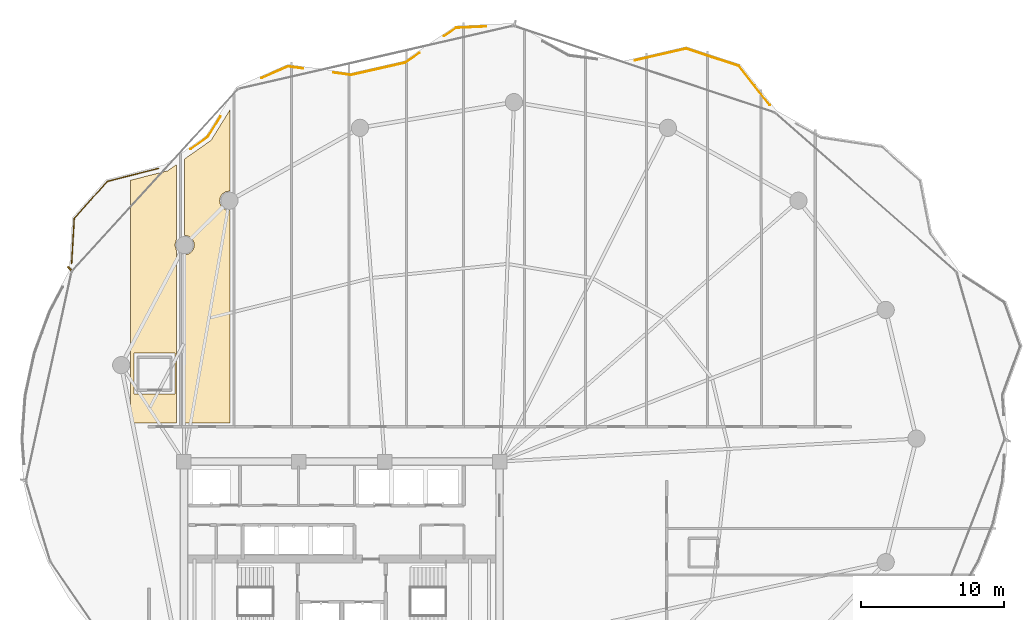
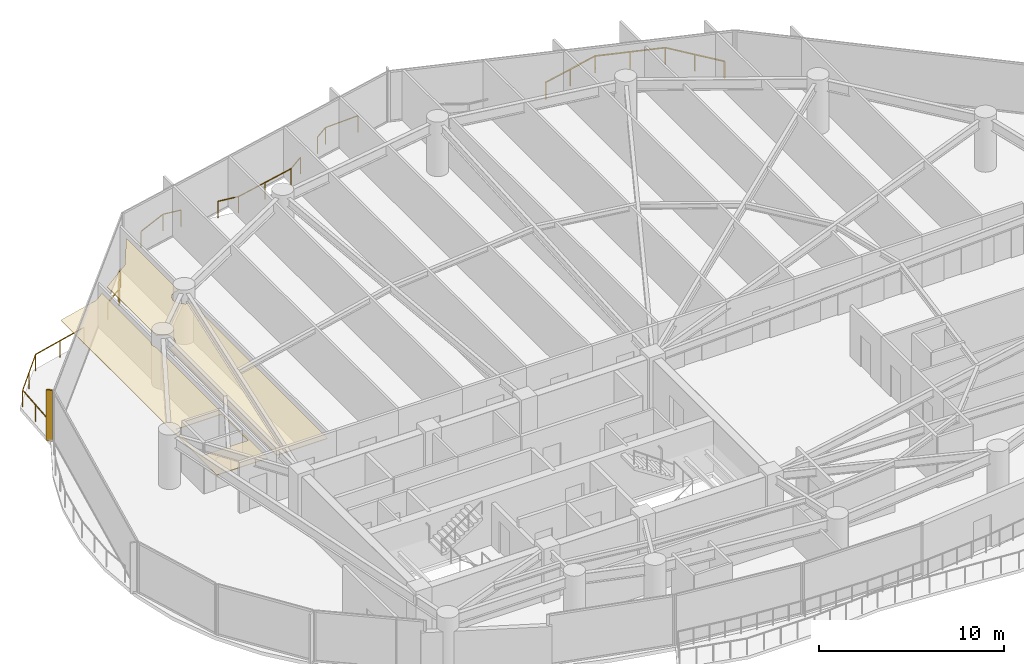
# One storey, part 33 of 34: 6 railings, 2 coverings, 1 shading device.
"""IFC4 building model written with IfcOpenShell, lengths in metres."""

from ifc_helpers import new_model, si_unit, direction, frame, origin, origin_2d, place, context, subcontext, project, spatial, polyline, rectangle, outline, extrude, material, layer, layer_set, type_object, element, save


model = new_model("IFC4")

# Units and contexts
model_context = context("Model", 3, precision=1e-05, world=origin(), true_north=direction((0.0, 1.0)))
body_context = subcontext(model_context, "Body", "Model", "MODEL_VIEW")
ifc_project = project(units=[si_unit("LENGTHUNIT", "METRE"), si_unit("AREAUNIT", "SQUARE_METRE"), si_unit("VOLUMEUNIT", "CUBIC_METRE"), si_unit("PLANEANGLEUNIT", "RADIAN"), si_unit("MASSUNIT", "GRAM", prefix="KILO")], contexts=[model_context])

# Site, building, storey
site_placement = place(None, origin())
site = spatial("IfcSite", under=ifc_project, at=site_placement, CompositionType="ELEMENT")
building_placement = place(site_placement, origin())
building = spatial("IfcBuilding", under=site, at=building_placement, Name="Kazevale Care Tower and Concert Hall", CompositionType="ELEMENT")
storey_placement = place(building_placement, frame((0.0, 0.0, 167.39990234375)))
storey = spatial("IfcBuildingStorey", under=building, at=storey_placement, Name="L44", CompositionType="ELEMENT", Elevation=167.39990234375)

# Coverings
ifc_material_1 = material(Name="Acoustic Plaster and Hinoki Wood", Category="wood")
ifc_layer = layer(ifc_material_1, 0.0400390625)
ifc_layer_set = layer_set([ifc_layer], Name="Acoustic Plaster and Hinoki Wood")
covering_type = type_object("IfcCoveringType", Name="Acoustic Perforated Wood-Gypsum Ceiling", PredefinedType="CEILING", material=ifc_layer_set)
covering_1_placement = place(storey_placement, frame((0.0, 0.0, 2.710205078125)))
element("IfcCovering", 1, at=covering_1_placement, inside=storey, type_object=covering_type, Name="clg:L44:1", PredefinedType="CEILING", context=body_context, shape_type="SweptSolid", body=[
    extrude(outline(polyline([(21.469970703125, 51.840087890625), (21.3701171875, 51.489990234375), (21.469970703125, 51.139892578125), (21.469970703125, 39.10498046875), (18.280029296875, 39.10498046875), (18.280029296875, 56.008056640625), (20.87109375, 56.6669921875), (21.469970703125, 57.0869140625), (21.469970703125, 51.840087890625)]), holes=[polyline([(18.52001953125, 41.094970703125), (21.3798828125, 41.094970703125), (21.3798828125, 43.955078125), (18.52001953125, 43.955078125), (18.52001953125, 41.094970703125)])]), origin(), (0.0, 0.0, 1.0), 0.039794921875),
])
covering_2_placement = place(storey_placement, frame((0.0, 0.0, 2.710205078125)))
element("IfcCovering", 2, at=covering_2_placement, inside=storey, type_object=covering_type, Name="clg:L44:2", PredefinedType="CEILING", context=body_context, shape_type="SweptSolid", body=[
    extrude(outline(polyline([(22.030029296875, 50.81201171875), (22.31005859375, 50.862060546875), (22.531005859375, 51.009033203125), (22.677978515625, 51.22998046875), (22.72998046875, 51.489990234375), (22.677978515625, 51.75), (22.531005859375, 51.970947265625), (22.31005859375, 52.117919921875), (22.030029296875, 52.16796875), (22.030029296875, 57.47998046875), (23.89306640625, 58.787109375), (25.219970703125, 60.927978515625), (25.219970703125, 55.2548828125), (24.909912109375, 55.2080078125), (24.68896484375, 55.06103515625), (24.5419921875, 54.840087890625), (24.489990234375, 54.580078125), (24.5419921875, 54.320068359375), (24.68896484375, 54.09912109375), (24.909912109375, 53.951904296875), (25.219970703125, 53.905029296875), (25.219970703125, 39.10498046875), (22.030029296875, 39.10498046875), (22.030029296875, 50.81201171875)])), origin(), (0.0, 0.0, 1.0), 0.039794921875),
])

# Railings
ifc_material_2 = material(Name="Anodised Bronze Aluminium and Laminated Glass", Category="aluminium")
railing_type = type_object("IfcRailingType", Name="Balcony and Terrace Balustrade 1120", PredefinedType="BALUSTRADE", material=ifc_material_2)
railing_1_placement = place(storey_placement, frame((14.176025390625, 50.219970703125, 0.0)))
element("IfcRailing", 3, at=railing_1_placement, inside=storey, type_object=railing_type, Name="rail:L44:perim:2", PredefinedType="BALUSTRADE", context=body_context, shape_type="SweptSolid", body=[
    extrude(rectangle(XDim=0.048095703125, YDim=0.048095703125, at=origin_2d()), frame((0.0, 0.0, 1.09619140625), z_axis=(0.058397513537, 0.99829340898, 0.0), x_axis=(-0.99829340898, 0.058397513537, 0.0)), (0.0, 0.0, 1.0), 3.13134765625),
    extrude(rectangle(XDim=0.048095703125, YDim=0.048095703125, at=origin_2d()), frame((0.182861328125, 3.1259765625, 1.09619140625), z_axis=(0.665105006429, 0.746749844608, 0.0), x_axis=(-0.746749844608, 0.665105006429, 0.0)), (0.0, 0.0, 1.0), 3.453857421875),
    extrude(rectangle(XDim=0.048095703125, YDim=0.048095703125, at=origin_2d()), frame((2.47998046875, 5.705078125, 1.09619140625), z_axis=(0.969135648028, 0.246528083029, 0.0), x_axis=(-0.246528083029, 0.969135648028, 0.0)), (0.0, 0.0, 1.0), 3.667236328125),
    extrude(rectangle(XDim=0.0419921875, YDim=0.0419921875, at=origin_2d()), origin(), (0.0, 0.0, 1.0), 1.072021484375),
    extrude(rectangle(XDim=0.0419921875, YDim=0.0419921875, at=origin_2d()), frame((0.09130859375, 1.56298828125, 0.0)), (0.0, 0.0, 1.0), 1.072021484375),
    extrude(rectangle(XDim=0.0419921875, YDim=0.0419921875, at=origin_2d()), frame((0.182861328125, 3.1259765625, 0.0)), (0.0, 0.0, 1.0), 1.072021484375),
    extrude(rectangle(XDim=0.0419921875, YDim=0.0419921875, at=origin_2d()), frame((1.33154296875, 4.41552734375, 0.0)), (0.0, 0.0, 1.0), 1.072021484375),
    extrude(rectangle(XDim=0.0419921875, YDim=0.0419921875, at=origin_2d()), frame((2.47998046875, 5.705078125, 0.0)), (0.0, 0.0, 1.0), 1.072021484375),
    extrude(rectangle(XDim=0.0419921875, YDim=0.0419921875, at=origin_2d()), frame((4.2568359375, 6.1572265625, 0.0)), (0.0, 0.0, 1.0), 1.072021484375),
    extrude(rectangle(XDim=0.0419921875, YDim=0.0419921875, at=origin_2d()), frame((6.033935546875, 6.609130859375, 0.0)), (0.0, 0.0, 1.0), 1.072021484375),
])
railing_2_placement = place(storey_placement, frame((22.47705078125, 58.18505859375, 0.0)))
element("IfcRailing", 4, at=railing_2_placement, inside=storey, type_object=railing_type, Name="rail:L44:perim:3", PredefinedType="BALUSTRADE", context=body_context, shape_type="SweptSolid", body=[
    extrude(rectangle(XDim=0.048095703125, YDim=0.048095703125, at=origin_2d()), frame((0.0, 0.0, 1.09619140625), z_axis=(0.819016727855, 0.573769639746, 0.0), x_axis=(-0.573769639746, 0.819016727855, 0.0)), (0.0, 0.0, 1.0), 1.439453125),
    extrude(rectangle(XDim=0.048095703125, YDim=0.048095703125, at=origin_2d()), frame((1.178955078125, 0.825927734375, 1.09619140625), z_axis=(0.526547441963, 0.85014574713, 0.0), x_axis=(-0.85014574713, 0.526547441963, 0.0)), (0.0, 0.0, 1.0), 1.69970703125),
    extrude(rectangle(XDim=0.0419921875, YDim=0.0419921875, at=origin_2d()), origin(), (0.0, 0.0, 1.0), 1.072021484375),
    extrude(rectangle(XDim=0.0419921875, YDim=0.0419921875, at=origin_2d()), frame((1.178955078125, 0.825927734375, 0.0)), (0.0, 0.0, 1.0), 1.072021484375),
    extrude(rectangle(XDim=0.0419921875, YDim=0.0419921875, at=origin_2d()), frame((2.073974609375, 2.27099609375, 0.0)), (0.0, 0.0, 1.0), 1.072021484375),
])
railing_3_placement = place(storey_placement, frame((27.425048828125, 63.135986328125, 0.0)))
element("IfcRailing", 5, at=railing_3_placement, inside=storey, type_object=railing_type, Name="rail:L44:perim:4", PredefinedType="BALUSTRADE", context=body_context, shape_type="SweptSolid", body=[
    extrude(rectangle(XDim=0.048095703125, YDim=0.048095703125, at=origin_2d()), frame((0.0, 0.0, 1.09619140625), z_axis=(0.915235534084, 0.402919243957, 0.0), x_axis=(-0.402919243957, 0.915235534084, 0.0)), (0.0, 0.0, 1.0), 1.992919921875),
    extrude(rectangle(XDim=0.048095703125, YDim=0.048095703125, at=origin_2d()), frame((1.823974609375, 0.802978515625, 1.09619140625), z_axis=(0.990895759246, -0.134631327363, 0.0), x_axis=(0.134631327363, 0.990895759246, 0.0)), (0.0, 0.0, 1.0), 1.062744140625),
    extrude(rectangle(XDim=0.0419921875, YDim=0.0419921875, at=origin_2d()), origin(), (0.0, 0.0, 1.0), 1.072021484375),
    extrude(rectangle(XDim=0.0419921875, YDim=0.0419921875, at=origin_2d()), frame((1.823974609375, 0.802978515625, 0.0)), (0.0, 0.0, 1.0), 1.072021484375),
    extrude(rectangle(XDim=0.0419921875, YDim=0.0419921875, at=origin_2d()), frame((2.876953125, 0.659912109375, 0.0)), (0.0, 0.0, 1.0), 1.072021484375),
])
railing_4_placement = place(storey_placement, frame((32.43798828125, 63.506103515625, 0.0)))
element("IfcRailing", 6, at=railing_4_placement, inside=storey, type_object=railing_type, Name="rail:L44:perim:5", PredefinedType="BALUSTRADE", context=body_context, shape_type="SweptSolid", body=[
    extrude(rectangle(XDim=0.048095703125, YDim=0.048095703125, at=origin_2d()), frame((0.0, 0.0, 1.09619140625), z_axis=(0.990995305993, -0.133896614968, 0.0), x_axis=(0.133896614968, 0.990995305993, 0.0)), (0.0, 0.0, 1.0), 1.218017578125),
    extrude(rectangle(XDim=0.048095703125, YDim=0.048095703125, at=origin_2d()), frame((1.20703125, -0.1630859375, 1.09619140625), z_axis=(0.975412879339, 0.220385377962, 0.0), x_axis=(-0.220385377962, 0.975412879339, 0.0)), (0.0, 0.0, 1.0), 3.851806640625),
    extrude(rectangle(XDim=0.048095703125, YDim=0.048095703125, at=origin_2d()), frame((4.964111328125, 0.685791015625, 1.09619140625), z_axis=(0.826107848451, 0.563512043108, 0.0), x_axis=(-0.563512043108, 0.826107848451, 0.0)), (0.0, 0.0, 1.0), 1.21044921875),
    extrude(rectangle(XDim=0.0419921875, YDim=0.0419921875, at=origin_2d()), origin(), (0.0, 0.0, 1.0), 1.072021484375),
    extrude(rectangle(XDim=0.0419921875, YDim=0.0419921875, at=origin_2d()), frame((1.20703125, -0.1630859375, 0.0)), (0.0, 0.0, 1.0), 1.072021484375),
    extrude(rectangle(XDim=0.0419921875, YDim=0.0419921875, at=origin_2d()), frame((3.08544921875, 0.26123046875, 0.0)), (0.0, 0.0, 1.0), 1.072021484375),
    extrude(rectangle(XDim=0.0419921875, YDim=0.0419921875, at=origin_2d()), frame((4.964111328125, 0.685791015625, 0.0)), (0.0, 0.0, 1.0), 1.072021484375),
    extrude(rectangle(XDim=0.0419921875, YDim=0.0419921875, at=origin_2d()), frame((5.964111328125, 1.367919921875, 0.0)), (0.0, 0.0, 1.0), 1.072021484375),
])
railing_5_placement = place(storey_placement, frame((40.125, 66.049072265625, 0.0)))
element("IfcRailing", 7, at=railing_5_placement, inside=storey, type_object=railing_type, Name="rail:L44:perim:6", PredefinedType="BALUSTRADE", context=body_context, shape_type="SweptSolid", body=[
    extrude(rectangle(XDim=0.048095703125, YDim=0.048095703125, at=origin_2d()), frame((0.0, 0.0, 1.09619140625), z_axis=(0.825986647337, 0.563689682735, 0.0), x_axis=(-0.563689682735, 0.825986647337, 0.0)), (0.0, 0.0, 1.0), 1.0302734375),
    extrude(rectangle(XDim=0.048095703125, YDim=0.048095703125, at=origin_2d()), frame((0.85107421875, 0.580810546875, 1.09619140625), z_axis=(0.999008153593, 0.044527621259, 0.0), x_axis=(-0.044527621259, 0.999008153593, 0.0)), (0.0, 0.0, 1.0), 2.0888671875),
    extrude(rectangle(XDim=0.0419921875, YDim=0.0419921875, at=origin_2d()), origin(), (0.0, 0.0, 1.0), 1.072021484375),
    extrude(rectangle(XDim=0.0419921875, YDim=0.0419921875, at=origin_2d()), frame((0.85107421875, 0.580810546875, 0.0)), (0.0, 0.0, 1.0), 1.072021484375),
    extrude(rectangle(XDim=0.0419921875, YDim=0.0419921875, at=origin_2d()), frame((2.93798828125, 0.673828125, 0.0)), (0.0, 0.0, 1.0), 1.072021484375),
])
railing_6_placement = place(storey_placement, frame((53.429931640625, 64.35791015625, 0.0)))
element("IfcRailing", 8, at=railing_6_placement, inside=storey, type_object=railing_type, Name="rail:L44:perim:8", PredefinedType="BALUSTRADE", context=body_context, shape_type="SweptSolid", body=[
    extrude(rectangle(XDim=0.048095703125, YDim=0.048095703125, at=origin_2d()), frame((0.0, 0.0, 1.09619140625), z_axis=(0.974487723827, 0.224440807588, 0.0), x_axis=(-0.224440807588, 0.974487723827, 0.0)), (0.0, 0.0, 1.0), 3.66259765625),
    extrude(rectangle(XDim=0.048095703125, YDim=0.048095703125, at=origin_2d()), frame((3.569091796875, 0.822021484375, 1.09619140625), z_axis=(0.949652960746, -0.313303772953, 0.0), x_axis=(0.313303772953, 0.949652960746, 0.0)), (0.0, 0.0, 1.0), 3.884521484375),
    extrude(rectangle(XDim=0.048095703125, YDim=0.048095703125, at=origin_2d()), frame((7.258056640625, -0.39501953125, 1.09619140625), z_axis=(0.617693820362, -0.786418682564, 0.0), x_axis=(0.786418682564, 0.617693820362, 0.0)), (0.0, 0.0, 1.0), 3.461181640625),
    extrude(rectangle(XDim=0.0419921875, YDim=0.0419921875, at=origin_2d()), origin(), (0.0, 0.0, 1.0), 1.072021484375),
    extrude(rectangle(XDim=0.0419921875, YDim=0.0419921875, at=origin_2d()), frame((1.78466796875, 0.4111328125, 0.0)), (0.0, 0.0, 1.0), 1.072021484375),
    extrude(rectangle(XDim=0.0419921875, YDim=0.0419921875, at=origin_2d()), frame((3.569091796875, 0.822021484375, 0.0)), (0.0, 0.0, 1.0), 1.072021484375),
    extrude(rectangle(XDim=0.0419921875, YDim=0.0419921875, at=origin_2d()), frame((5.41357421875, 0.21337890625, 0.0)), (0.0, 0.0, 1.0), 1.072021484375),
    extrude(rectangle(XDim=0.0419921875, YDim=0.0419921875, at=origin_2d()), frame((7.258056640625, -0.39501953125, 0.0)), (0.0, 0.0, 1.0), 1.072021484375),
    extrude(rectangle(XDim=0.0419921875, YDim=0.0419921875, at=origin_2d()), frame((8.3271484375, -1.755859375, 0.0)), (0.0, 0.0, 1.0), 1.072021484375),
    extrude(rectangle(XDim=0.0419921875, YDim=0.0419921875, at=origin_2d()), frame((9.39599609375, -3.116943359375, 0.0)), (0.0, 0.0, 1.0), 1.072021484375),
])

# Shading device
ifc_material_3 = material(Name="Anodised Bronze Aluminium", Category="aluminium")
shading_device_type = type_object("IfcShadingDeviceType", Name="Waist Anodised Bronze-Stone Fin FIN-02", PredefinedType="USERDEFINED", material=ifc_material_3)
shading_device_placement = place(storey_placement, frame((14.02197265625, 49.8671875, 0.0), z_axis=(0.0, 0.0, 1.0), x_axis=(-0.738455340626, 0.674302387584, 0.0)))
element("IfcShadingDevice", 9, at=shading_device_placement, inside=storey, type_object=shading_device_type, Name="cw:L44:f14:fin", ObjectType="FIN", PredefinedType="USERDEFINED", context=body_context, shape_type="SweptSolid", body=[
    extrude(rectangle(XDim=0.340087890625, YDim=0.10009765625, at=origin_2d()), origin(), (0.0, 0.0, 1.0), 3.360107421875),
])

save(model, "model.ifc")
